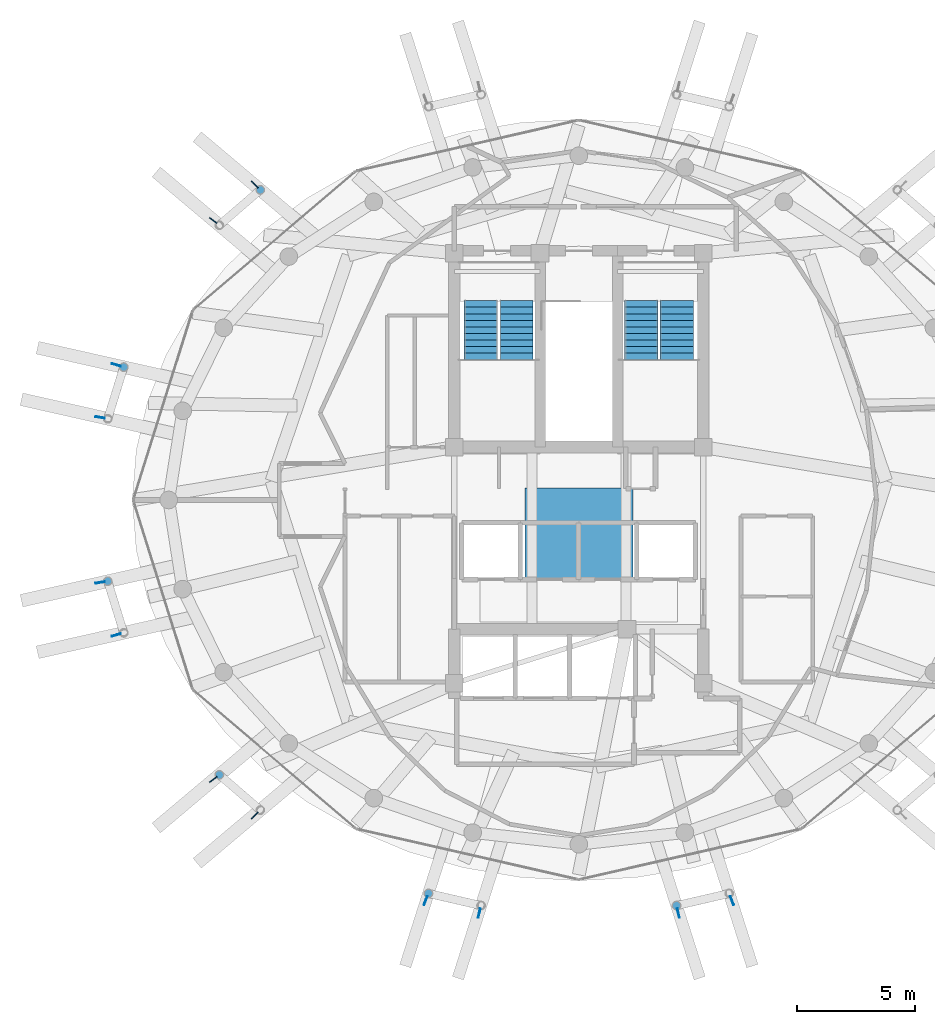
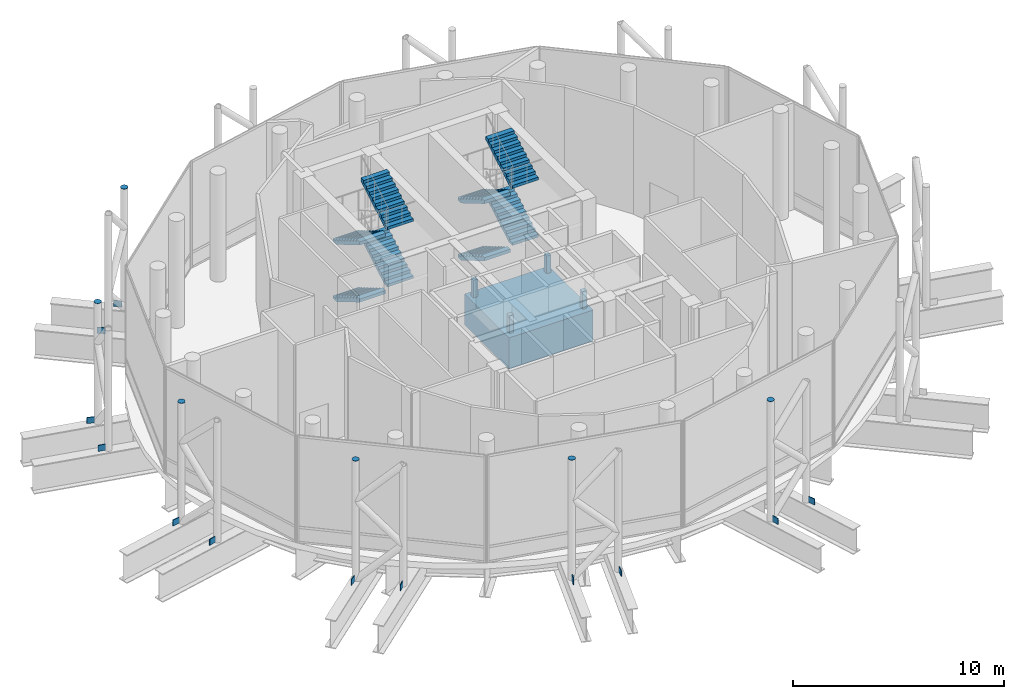
# One storey, part 23 of 26: 19 discrete accessories, 8 stair flights, 2 elements without a shape of their own.
"""IFC4 building model written with IfcOpenShell, lengths in metres."""

import ifcopenshell
import ifcopenshell.guid

model = None  # the IFC model being written
_history = None  # IfcOwnerHistory: only IFC2X3 demands one
_inside = {}  # id of a spatial element -> (the spatial element, [elements in it])
_under = {}  # id of a project, library or spatial element -> (it, [spatial elements below it])
_declared = {}  # id of a project -> (the project, [libraries it declares])
_typed = {}  # id of a type object -> (the type object, [elements of that type])
_made_of = {}  # id of a material, layer set ... -> (it, [elements and type objects made of it])


def new_model(schema):
    """Start an empty IFC model of exactly this schema.

    Asked for "IFC4X3", IfcOpenShell would pick the latest addendum, in which some entities
    have other attributes; the version numbers below select the first issue.
    IFC2X3 requires an IfcOwnerHistory on every rooted entity: one is made here for all.
    """
    global model, _history
    if schema == "IFC4X3":
        model = ifcopenshell.file(schema_version=(4, 3, 0, 0))
    else:
        model = ifcopenshell.file(schema=schema)
    _inside.clear()
    _under.clear()
    _declared.clear()
    _typed.clear()
    _made_of.clear()
    _history = None
    if model.schema == "IFC2X3":
        org = make("IfcOrganization", Name="unknown")
        user = make(
            "IfcPersonAndOrganization",
            ThePerson=make("IfcPerson", FamilyName="unknown"),
            TheOrganization=org,
        )
        app = make(
            "IfcApplication",
            ApplicationDeveloper=org,
            Version="unknown",
            ApplicationFullName="unknown",
            ApplicationIdentifier="unknown",
        )
        _history = make(
            "IfcOwnerHistory",
            OwningUser=user,
            OwningApplication=app,
            ChangeAction="ADDED",
            CreationDate=0,
        )
    return model


def make(cls, **values):
    """One entity of the class cls with the attributes given. An attribute that is None is left unset."""
    return model.create_entity(
        cls, **{name: value for name, value in values.items() if value is not None}
    )


def rooted(cls, **values):
    """An entity with a GlobalId (a new one), such as an element, a storey or a relation."""
    return make(cls, GlobalId=ifcopenshell.guid.new(), OwnerHistory=_history, **values)


def si_unit(unit_type, name, prefix=None):
    """IfcSIUnit, for example si_unit("LENGTHUNIT", "METRE", prefix="MILLI")."""
    return make("IfcSIUnit", UnitType=unit_type, Prefix=prefix, Name=name)


def assignment(units):
    """IfcUnitAssignment: the units of a project."""
    return None if units is None else make("IfcUnitAssignment", Units=units)


def point(xyz):
    """IfcCartesianPoint."""
    return None if xyz is None else make("IfcCartesianPoint", Coordinates=xyz)


def direction(xyz):
    """IfcDirection."""
    return None if xyz is None else make("IfcDirection", DirectionRatios=xyz)


def frame(location, z_axis=None, x_axis=None):
    """IfcAxis2Placement3D, a coordinate frame: its origin and axes. An axis left out is left unset."""
    return make(
        "IfcAxis2Placement3D",
        Location=point(location),
        Axis=direction(z_axis),
        RefDirection=direction(x_axis),
    )


def frame_2d(location, x_axis=None):
    """IfcAxis2Placement2D, a coordinate frame in the plane: its origin and x axis."""
    return make(
        "IfcAxis2Placement2D", Location=point(location), RefDirection=direction(x_axis)
    )


def origin():
    """The frame at (0, 0, 0) with its axes left unset."""
    return frame((0.0, 0.0, 0.0))


def origin_2d():
    """The frame at (0, 0) in the plane with its x axis left unset."""
    return frame_2d((0.0, 0.0))


def place(relative_to, where):
    """IfcLocalPlacement: puts the frame where relative to a parent placement (None: the world)."""
    return make(
        "IfcLocalPlacement", PlacementRelTo=relative_to, RelativePlacement=where
    )


def context(
    kind, dimensions, precision=None, world=None, true_north=None, identifier=None
):
    """IfcGeometricRepresentationContext, for example the 3D "Model" context."""
    return make(
        "IfcGeometricRepresentationContext",
        ContextIdentifier=identifier,
        ContextType=kind,
        CoordinateSpaceDimension=dimensions,
        Precision=precision,
        WorldCoordinateSystem=world,
        TrueNorth=true_north,
    )


def subcontext(parent, identifier, kind, view, scale=None):
    """IfcGeometricRepresentationSubContext, for example "Body" below "Model"."""
    return make(
        "IfcGeometricRepresentationSubContext",
        ContextIdentifier=identifier,
        ContextType=kind,
        ParentContext=parent,
        TargetScale=scale,
        TargetView=view,
    )


def project(units=None, contexts=None):
    """IfcProject with its units and contexts."""
    return rooted(
        "IfcProject",
        Name="project",
        RepresentationContexts=contexts,
        UnitsInContext=assignment(units),
    )


def spatial(cls, under=None, at=None, **own):
    """A site, building, storey or space (cls), placed at a placement, below another one or the project."""
    s = rooted(cls, ObjectPlacement=at, **own)
    if under is not None:
        _under.setdefault(under.id(), (under, []))[1].append(s)
    return s


def polyline(points):
    """IfcPolyline through the points."""
    return make("IfcPolyline", Points=[point(p) for p in points])


def profile(cls, at=None, kind="AREA", **sizes):
    """A parametric profile (cls). Its sizes go by their IFC names, for example OverallWidth=200.0."""
    return make(cls, ProfileType=kind, Position=at, **sizes)


def rectangle(**sizes):
    """IfcRectangleProfileDef."""
    return profile("IfcRectangleProfileDef", **sizes)


def circle(**sizes):
    """IfcCircleProfileDef."""
    return profile("IfcCircleProfileDef", **sizes)


def outline(outer, holes=None, kind="AREA"):
    """IfcArbitraryClosedProfileDef: a profile drawn as a closed curve; with holes, ...WithVoids."""
    if holes is None:
        return make("IfcArbitraryClosedProfileDef", ProfileType=kind, OuterCurve=outer)
    return make(
        "IfcArbitraryProfileDefWithVoids",
        ProfileType=kind,
        OuterCurve=outer,
        InnerCurves=holes,
    )


def extrude(swept, where, along, depth):
    """IfcExtrudedAreaSolid: the profile swept, set in the frame where, extruded along a direction by depth."""
    return make(
        "IfcExtrudedAreaSolid",
        SweptArea=swept,
        Position=where,
        ExtrudedDirection=direction(along),
        Depth=depth,
    )


def shape(context_of_items, identifier, shape_type, items):
    """IfcShapeRepresentation: the items that make up one representation, for example the "Body"."""
    return make(
        "IfcShapeRepresentation",
        ContextOfItems=context_of_items,
        RepresentationIdentifier=identifier,
        RepresentationType=shape_type,
        Items=items,
    )


def material(Name=None, Category=None):
    """IfcMaterial."""
    return make("IfcMaterial", Name=Name, Category=Category)


def made_of(thing, what):
    """Note that an element or type object is made of a material, layer set ...; save() writes the relation."""
    if what is not None:
        _made_of.setdefault(what.id(), (what, []))[1].append(thing)
    return thing


def type_object(cls, material=None, **own):
    """A type object (cls), such as IfcWallType, which elements share."""
    return made_of(rooted(cls, **own), material)


def element(
    cls,
    number,
    at=None,
    inside=None,
    cuts=None,
    type_object=None,
    material=None,
    context=None,
    identifier="Body",
    shape_type=None,
    held_by="IfcProductDefinitionShape",
    body=None,
    shapes=None,
    **own,
):
    """One element of the class cls, such as IfcWall. Its Tag is "e" and its number.

    at: its placement. inside: the storey or other place that contains it. cuts: it is an
    opening in that element (IfcRelVoidsElement). A single representation is given by context,
    identifier, shape_type and body (its items); several are given by shapes. held_by: the class
    of the entity that holds the representations. save() writes the other relations.
    """
    e = rooted(cls, Tag="e%d" % number, ObjectPlacement=at, **own)
    if body is not None:
        shapes = [shape(context, identifier, shape_type, body)]
    if shapes is not None:
        e.Representation = make(held_by, Representations=shapes)
    if inside is not None:
        _inside.setdefault(inside.id(), (inside, []))[1].append(e)
    if cuts is not None:
        rooted(
            "IfcRelVoidsElement", RelatingBuildingElement=cuts, RelatedOpeningElement=e
        )
    if type_object is not None:
        _typed.setdefault(type_object.id(), (type_object, []))[1].append(e)
    return made_of(e, material)


def aggregate(whole, parts):
    """IfcRelAggregates: a whole, such as a stair, and the parts it consists of."""
    return rooted("IfcRelAggregates", RelatingObject=whole, RelatedObjects=parts)


def save(model, path):
    """Write the relations noted so far, then the file.

    IfcRelAggregates (storeys below a building ...), IfcRelContainedInSpatialStructure (elements
    in a storey), IfcRelDefinesByType, IfcRelAssociatesMaterial and IfcRelDeclares: one each for
    every whole, place, type object, material and project.
    """
    for whole, parts in _under.values():
        aggregate(whole, parts)
    for where, things in _inside.values():
        rooted(
            "IfcRelContainedInSpatialStructure",
            RelatedElements=things,
            RelatingStructure=where,
        )
    for kind, things in _typed.values():
        rooted("IfcRelDefinesByType", RelatedObjects=things, RelatingType=kind)
    for what, things in _made_of.values():
        rooted("IfcRelAssociatesMaterial", RelatedObjects=things, RelatingMaterial=what)
    for by, libraries in _declared.values():
        rooted("IfcRelDeclares", RelatingContext=by, RelatedDefinitions=libraries)
    model.write(path)


model = new_model("IFC4")

# Units and contexts
model_context = context("Model", 3, precision=1e-05, world=origin(), true_north=direction((0.0, 1.0)))
body_context = subcontext(model_context, "Body", "Model", "MODEL_VIEW")
ifc_project = project(units=[si_unit("LENGTHUNIT", "METRE"), si_unit("AREAUNIT", "SQUARE_METRE"), si_unit("VOLUMEUNIT", "CUBIC_METRE"), si_unit("PLANEANGLEUNIT", "RADIAN"), si_unit("MASSUNIT", "GRAM", prefix="KILO")], contexts=[model_context])

# Site, building, storey
site_placement = place(None, origin())
site = spatial("IfcSite", under=ifc_project, at=site_placement, CompositionType="ELEMENT")
building_placement = place(site_placement, origin())
building = spatial("IfcBuilding", under=site, at=building_placement, Name="Nuhasar Tower", CompositionType="ELEMENT")
storey_placement = place(building_placement, frame((0.0, 0.0, 306.800048828125)))
storey = spatial("IfcBuildingStorey", under=building, at=storey_placement, Name="L76", CompositionType="ELEMENT", Elevation=306.800048828125)

# Stair, stair flights
ifc_material_1 = material(Name="Concrete C45/55", Category="concrete")
stair_type_1 = type_object("IfcStairType", Name="STR-ST-01-4F-40R-1650", PredefinedType="HALF_TURN_STAIR", material=ifc_material_1)
stair_1_placement = place(storey_placement, origin())
stair_1 = element("IfcStair", 1, at=stair_1_placement, inside=storey, type_object=stair_type_1, Name="L76 Exit Stair ST-01", PredefinedType="HALF_TURN_STAIR")
stair_flight_type_1 = type_object("IfcStairFlightType", Name="SFL-ST-01-10R-1650", PredefinedType="STRAIGHT", material=ifc_material_1)
stair_flight_1_placement = place(storey_placement, frame((34.830078125, 35.284912109375, 0.0), z_axis=(0.0, 0.0, 1.0), x_axis=(0.0, -1.0, 0.0)))
stair_flight_1 = element("IfcStairFlight", 2, at=stair_flight_1_placement, type_object=stair_flight_type_1, Name="ST-01 flight 1", NumberOfRisers=10, NumberOfTreads=9, PredefinedType="STRAIGHT", RiserHeight=0.165, TreadLength=0.28, context=body_context, shape_type="SweptSolid", body=[
    extrude(outline(polyline([(0.0, 0.0), (0.0, 0.1650390625), (0.280029296875, 0.1650390625), (0.280029296875, 0.330078125), (0.56005859375, 0.330078125), (0.56005859375, 0.4951171875), (0.840087890625, 0.4951171875), (0.840087890625, 0.659912109375), (1.1201171875, 0.659912109375), (1.1201171875, 0.824951171875), (1.39990234375, 0.824951171875), (1.39990234375, 0.989990234375), (1.679931640625, 0.989990234375), (1.679931640625, 1.155029296875), (1.9599609375, 1.155029296875), (1.9599609375, 1.320068359375), (2.239990234375, 1.320068359375), (2.239990234375, 1.485107421875), (2.52001953125, 1.485107421875), (2.52001953125, 1.64990234375), (2.52001953125, 1.29931640625), (0.31494140625, 0.0), (0.0, 0.0)])), frame((0.0, 0.7099609375, 0.0), z_axis=(0.0, -1.0, 0.0), x_axis=(1.0, 0.0, 0.0)), (0.0, 0.0, 1.0), 1.419921875),
])
stair_flight_2_placement = place(storey_placement, frame((36.35009765625, 32.764892578125, 1.64990234375), z_axis=(0.0, 0.0, 1.0), x_axis=(0.0, 1.0, 0.0)))
stair_flight_2 = element("IfcStairFlight", 3, at=stair_flight_2_placement, type_object=stair_flight_type_1, Name="ST-01 flight 2", NumberOfRisers=10, NumberOfTreads=9, PredefinedType="STRAIGHT", RiserHeight=0.165, TreadLength=0.28, context=body_context, shape_type="SweptSolid", body=[
    extrude(outline(polyline([(0.0, 0.0), (0.0, 0.1650390625), (0.280029296875, 0.1650390625), (0.280029296875, 0.330078125), (0.56005859375, 0.330078125), (0.56005859375, 0.4951171875), (0.840087890625, 0.4951171875), (0.840087890625, 0.659912109375), (1.1201171875, 0.659912109375), (1.1201171875, 0.824951171875), (1.39990234375, 0.824951171875), (1.39990234375, 0.989990234375), (1.679931640625, 0.989990234375), (1.679931640625, 1.155029296875), (1.9599609375, 1.155029296875), (1.9599609375, 1.320068359375), (2.239990234375, 1.320068359375), (2.239990234375, 1.485107421875), (2.52001953125, 1.485107421875), (2.52001953125, 1.64990234375), (2.52001953125, 1.29931640625), (0.31494140625, 0.0), (0.0, 0.0)])), frame((0.0, 0.7099609375, 0.0), z_axis=(0.0, -1.0, 0.0), x_axis=(1.0, 0.0, 0.0)), (0.0, 0.0, 1.0), 1.419921875),
])
stair_flight_3_placement = place(storey_placement, frame((34.830078125, 35.284912109375, 3.300048828125), z_axis=(0.0, 0.0, 1.0), x_axis=(0.0, -1.0, 0.0)))
stair_flight_3 = element("IfcStairFlight", 4, at=stair_flight_3_placement, type_object=stair_flight_type_1, Name="ST-01 flight 3", NumberOfRisers=10, NumberOfTreads=9, PredefinedType="STRAIGHT", RiserHeight=0.165, TreadLength=0.28, context=body_context, shape_type="SweptSolid", body=[
    extrude(outline(polyline([(0.0, 0.0), (0.0, 0.1650390625), (0.280029296875, 0.1650390625), (0.280029296875, 0.330078125), (0.56005859375, 0.330078125), (0.56005859375, 0.4951171875), (0.840087890625, 0.4951171875), (0.840087890625, 0.659912109375), (1.1201171875, 0.659912109375), (1.1201171875, 0.824951171875), (1.39990234375, 0.824951171875), (1.39990234375, 0.989990234375), (1.679931640625, 0.989990234375), (1.679931640625, 1.155029296875), (1.9599609375, 1.155029296875), (1.9599609375, 1.320068359375), (2.239990234375, 1.320068359375), (2.239990234375, 1.485107421875), (2.52001953125, 1.485107421875), (2.52001953125, 1.64990234375), (2.52001953125, 1.29931640625), (0.31494140625, 0.0), (0.0, 0.0)])), frame((0.0, 0.7099609375, 0.0), z_axis=(0.0, -1.0, 0.0), x_axis=(1.0, 0.0, 0.0)), (0.0, 0.0, 1.0), 1.419921875),
])
stair_flight_4_placement = place(storey_placement, frame((36.35009765625, 32.764892578125, 4.949951171875), z_axis=(0.0, 0.0, 1.0), x_axis=(0.0, 1.0, 0.0)))
stair_flight_4 = element("IfcStairFlight", 5, at=stair_flight_4_placement, type_object=stair_flight_type_1, Name="ST-01 flight 4", NumberOfRisers=10, NumberOfTreads=9, PredefinedType="STRAIGHT", RiserHeight=0.165, TreadLength=0.28, context=body_context, shape_type="SweptSolid", body=[
    extrude(outline(polyline([(0.0, 0.0), (0.0, 0.1650390625), (0.280029296875, 0.1650390625), (0.280029296875, 0.330078125), (0.56005859375, 0.330078125), (0.56005859375, 0.4951171875), (0.840087890625, 0.4951171875), (0.840087890625, 0.659912109375), (1.1201171875, 0.659912109375), (1.1201171875, 0.824951171875), (1.39990234375, 0.824951171875), (1.39990234375, 0.989990234375), (1.679931640625, 0.989990234375), (1.679931640625, 1.155029296875), (1.9599609375, 1.155029296875), (1.9599609375, 1.320068359375), (2.239990234375, 1.320068359375), (2.239990234375, 1.485107421875), (2.52001953125, 1.485107421875), (2.52001953125, 1.64990234375), (2.52001953125, 1.29931640625), (0.31494140625, 0.0), (0.0, 0.0)])), frame((0.0, 0.7099609375, 0.0), z_axis=(0.0, -1.0, 0.0), x_axis=(1.0, 0.0, 0.0)), (0.0, 0.0, 1.0), 1.419921875),
])
aggregate(stair_1, [stair_flight_1, stair_flight_2, stair_flight_3, stair_flight_4])

stair_type_2 = type_object("IfcStairType", Name="STR-ST-02-4F-40R-1650", PredefinedType="HALF_TURN_STAIR", material=ifc_material_1)
stair_2_placement = place(storey_placement, origin())
stair_2 = element("IfcStair", 6, at=stair_2_placement, inside=storey, type_object=stair_type_2, Name="L76 Exit Stair ST-02", PredefinedType="HALF_TURN_STAIR")
stair_flight_type_2 = type_object("IfcStairFlightType", Name="SFL-ST-02-10R-1650", PredefinedType="STRAIGHT", material=ifc_material_1)
stair_flight_5_placement = place(storey_placement, frame((41.64990234375, 35.284912109375, 0.0), z_axis=(0.0, 0.0, 1.0), x_axis=(0.0, -1.0, 0.0)))
stair_flight_5 = element("IfcStairFlight", 7, at=stair_flight_5_placement, type_object=stair_flight_type_2, Name="ST-02 flight 1", NumberOfRisers=10, NumberOfTreads=9, PredefinedType="STRAIGHT", RiserHeight=0.165, TreadLength=0.28, context=body_context, shape_type="SweptSolid", body=[
    extrude(outline(polyline([(0.0, 0.0), (0.0, 0.1650390625), (0.280029296875, 0.1650390625), (0.280029296875, 0.330078125), (0.56005859375, 0.330078125), (0.56005859375, 0.4951171875), (0.840087890625, 0.4951171875), (0.840087890625, 0.659912109375), (1.1201171875, 0.659912109375), (1.1201171875, 0.824951171875), (1.39990234375, 0.824951171875), (1.39990234375, 0.989990234375), (1.679931640625, 0.989990234375), (1.679931640625, 1.155029296875), (1.9599609375, 1.155029296875), (1.9599609375, 1.320068359375), (2.239990234375, 1.320068359375), (2.239990234375, 1.485107421875), (2.52001953125, 1.485107421875), (2.52001953125, 1.64990234375), (2.52001953125, 1.29931640625), (0.31494140625, 0.0), (0.0, 0.0)])), frame((0.0, 0.7099609375, 0.0), z_axis=(0.0, -1.0, 0.0), x_axis=(1.0, 0.0, 0.0)), (0.0, 0.0, 1.0), 1.419921875),
])
stair_flight_6_placement = place(storey_placement, frame((43.169921875, 32.764892578125, 1.64990234375), z_axis=(0.0, 0.0, 1.0), x_axis=(0.0, 1.0, 0.0)))
stair_flight_6 = element("IfcStairFlight", 8, at=stair_flight_6_placement, type_object=stair_flight_type_2, Name="ST-02 flight 2", NumberOfRisers=10, NumberOfTreads=9, PredefinedType="STRAIGHT", RiserHeight=0.165, TreadLength=0.28, context=body_context, shape_type="SweptSolid", body=[
    extrude(outline(polyline([(0.0, 0.0), (0.0, 0.1650390625), (0.280029296875, 0.1650390625), (0.280029296875, 0.330078125), (0.56005859375, 0.330078125), (0.56005859375, 0.4951171875), (0.840087890625, 0.4951171875), (0.840087890625, 0.659912109375), (1.1201171875, 0.659912109375), (1.1201171875, 0.824951171875), (1.39990234375, 0.824951171875), (1.39990234375, 0.989990234375), (1.679931640625, 0.989990234375), (1.679931640625, 1.155029296875), (1.9599609375, 1.155029296875), (1.9599609375, 1.320068359375), (2.239990234375, 1.320068359375), (2.239990234375, 1.485107421875), (2.52001953125, 1.485107421875), (2.52001953125, 1.64990234375), (2.52001953125, 1.29931640625), (0.31494140625, 0.0), (0.0, 0.0)])), frame((0.0, 0.7099609375, 0.0), z_axis=(0.0, -1.0, 0.0), x_axis=(1.0, 0.0, 0.0)), (0.0, 0.0, 1.0), 1.419921875),
])
stair_flight_7_placement = place(storey_placement, frame((41.64990234375, 35.284912109375, 3.300048828125), z_axis=(0.0, 0.0, 1.0), x_axis=(0.0, -1.0, 0.0)))
stair_flight_7 = element("IfcStairFlight", 9, at=stair_flight_7_placement, type_object=stair_flight_type_2, Name="ST-02 flight 3", NumberOfRisers=10, NumberOfTreads=9, PredefinedType="STRAIGHT", RiserHeight=0.165, TreadLength=0.28, context=body_context, shape_type="SweptSolid", body=[
    extrude(outline(polyline([(0.0, 0.0), (0.0, 0.1650390625), (0.280029296875, 0.1650390625), (0.280029296875, 0.330078125), (0.56005859375, 0.330078125), (0.56005859375, 0.4951171875), (0.840087890625, 0.4951171875), (0.840087890625, 0.659912109375), (1.1201171875, 0.659912109375), (1.1201171875, 0.824951171875), (1.39990234375, 0.824951171875), (1.39990234375, 0.989990234375), (1.679931640625, 0.989990234375), (1.679931640625, 1.155029296875), (1.9599609375, 1.155029296875), (1.9599609375, 1.320068359375), (2.239990234375, 1.320068359375), (2.239990234375, 1.485107421875), (2.52001953125, 1.485107421875), (2.52001953125, 1.64990234375), (2.52001953125, 1.29931640625), (0.31494140625, 0.0), (0.0, 0.0)])), frame((0.0, 0.7099609375, 0.0), z_axis=(0.0, -1.0, 0.0), x_axis=(1.0, 0.0, 0.0)), (0.0, 0.0, 1.0), 1.419921875),
])
stair_flight_8_placement = place(storey_placement, frame((43.169921875, 32.764892578125, 4.949951171875), z_axis=(0.0, 0.0, 1.0), x_axis=(0.0, 1.0, 0.0)))
stair_flight_8 = element("IfcStairFlight", 10, at=stair_flight_8_placement, type_object=stair_flight_type_2, Name="ST-02 flight 4", NumberOfRisers=10, NumberOfTreads=9, PredefinedType="STRAIGHT", RiserHeight=0.165, TreadLength=0.28, context=body_context, shape_type="SweptSolid", body=[
    extrude(outline(polyline([(0.0, 0.0), (0.0, 0.1650390625), (0.280029296875, 0.1650390625), (0.280029296875, 0.330078125), (0.56005859375, 0.330078125), (0.56005859375, 0.4951171875), (0.840087890625, 0.4951171875), (0.840087890625, 0.659912109375), (1.1201171875, 0.659912109375), (1.1201171875, 0.824951171875), (1.39990234375, 0.824951171875), (1.39990234375, 0.989990234375), (1.679931640625, 0.989990234375), (1.679931640625, 1.155029296875), (1.9599609375, 1.155029296875), (1.9599609375, 1.320068359375), (2.239990234375, 1.320068359375), (2.239990234375, 1.485107421875), (2.52001953125, 1.485107421875), (2.52001953125, 1.64990234375), (2.52001953125, 1.29931640625), (0.31494140625, 0.0), (0.0, 0.0)])), frame((0.0, 0.7099609375, 0.0), z_axis=(0.0, -1.0, 0.0), x_axis=(1.0, 0.0, 0.0)), (0.0, 0.0, 1.0), 1.419921875),
])
aggregate(stair_2, [stair_flight_5, stair_flight_6, stair_flight_7, stair_flight_8])

# Discrete accessories
ifc_material_2 = material(Name="Steel S460", Category="steel")
discrete_accessory_type_1 = type_object("IfcDiscreteAccessoryType", Name="ACC-CAP-HSS356", PredefinedType="USERDEFINED", material=ifc_material_2)
for number, where, z_axis, x_axis, name in (
    (11, (25.446044921875, 39.99609375, 6.599853515625), (0.0, 0.0, 1.0), (1.0, 0.0, 0.0), "L76 Exoskeleton Chord Column EC-05A End Cap"),
    (12, (19.635986328125, 32.452880859375, 6.599853515625), (0.0, 0.0, 1.0), (1.0, 0.0, 0.0), "L76 Exoskeleton Chord Column EC-06A End Cap"),
    (13, (18.9541015625, 23.343017578125, 6.599853515625), (0.0, 0.0, 1.0), (1.0, 0.0, 0.0), "L76 Exoskeleton Chord Column EC-07A End Cap"),
    (14, (23.7041015625, 15.10595703125, 6.599853515625), (0.0, 0.0, 1.0), (1.0, 0.0, 0.0), "L76 Exoskeleton Chord Column EC-08A End Cap"),
    (15, (32.60009765625, 10.05908203125, 6.599853515625), (0.0, 0.0, 1.0), (1.0, 0.0, 0.0), "L76 Exoskeleton Chord Column EC-09A End Cap"),
    (16, (43.158935546875, 9.541015625, 6.599853515625), (0.0, 0.0, 1.0), (1.0, 0.0, 0.0), "L76 Exoskeleton Chord Column EC-10A End Cap"),
):
    element("IfcDiscreteAccessory", number, at=place(storey_placement, frame(where, z_axis=z_axis, x_axis=x_axis)), inside=storey, type_object=discrete_accessory_type_1, Name=name, ObjectType="STEEL_END_CAP", PredefinedType="USERDEFINED", context=body_context, shape_type="SweptSolid", body=[
        extrude(circle(Radius=0.177734375, at=origin_2d()), origin(), (0.0, 0.0, 1.0), 0.02001953125),
    ])
discrete_accessory_type_2 = type_object("IfcDiscreteAccessoryType", Name="ACC-GUS-40", PredefinedType="USERDEFINED", material=ifc_material_2)
for number, where, z_axis, x_axis, name in (
    (17, (25.2109375, 40.22509765625, -0.35009765625), (0.0, 0.0, 1.0), (-0.716508950489, 0.697577898065, 0.0), "L76 Exoskeleton Chord Column EC-05A Gusset Plate"),
    (18, (23.444091796875, 38.693115234375, -0.35009765625), (0.0, 0.0, 1.0), (-0.794435821468, 0.607348109052, 0.0), "L76 Exoskeleton Chord Column EC-05B Gusset Plate"),
    (19, (19.321044921875, 32.544921875, -0.35009765625), (0.0, 0.0, 1.0), (-0.959932555661, 0.280231134213, 0.0), "L76 Exoskeleton Chord Column EC-06A Gusset Plate"),
    (20, (18.631103515625, 30.31298828125, -0.35009765625), (0.0, 0.0, 1.0), (-0.985452425456, 0.169951514151, 0.0), "L76 Exoskeleton Chord Column EC-06B Gusset Plate"),
    (21, (18.631103515625, 23.287109375, -0.35009765625), (0.0, 0.0, 1.0), (-0.985452425456, -0.169951514151, 0.0), "L76 Exoskeleton Chord Column EC-07A Gusset Plate"),
    (22, (19.321044921875, 21.054931640625, -0.35009765625), (0.0, 0.0, 1.0), (-0.959932555661, -0.280231134213, 0.0), "L76 Exoskeleton Chord Column EC-07B Gusset Plate"),
    (23, (23.444091796875, 14.906982421875, -0.35009765625), (0.0, 0.0, 1.0), (-0.794435821468, -0.607348109052, 0.0), "L76 Exoskeleton Chord Column EC-08A Gusset Plate"),
    (24, (25.2109375, 13.375, -0.35009765625), (0.0, 0.0, 1.0), (-0.716508950489, -0.697577898065, 0.0), "L76 Exoskeleton Chord Column EC-08B Gusset Plate"),
    (25, (32.48291015625, 9.7529296875, -0.35009765625), (0.0, 0.0, 1.0), (-0.35709668178, -0.934067427899, 0.0), "L76 Exoskeleton Chord Column EC-09A Gusset Plate"),
    (26, (34.763916015625, 9.221923828125, -0.35009765625), (0.0, 0.0, 1.0), (-0.234276860161, -0.972169919712, 0.0), "L76 Exoskeleton Chord Column EC-09B Gusset Plate"),
    (27, (43.236083984375, 9.221923828125, -0.35009765625), (0.0, 0.0, 1.0), (0.234276860161, -0.972169919712, 0.0), "L76 Exoskeleton Chord Column EC-10A Gusset Plate"),
    (28, (45.51708984375, 9.7529296875, -0.35009765625), (0.0, 0.0, 1.0), (0.35709668178, -0.934067427899, 0.0), "L76 Exoskeleton Chord Column EC-10B Gusset Plate"),
):
    element("IfcDiscreteAccessory", number, at=place(storey_placement, frame(where, z_axis=z_axis, x_axis=x_axis)), inside=storey, type_object=discrete_accessory_type_2, Name=name, ObjectType="STEEL_GUSSET_PLATE", PredefinedType="USERDEFINED", context=body_context, shape_type="SweptSolid", body=[
        extrude(rectangle(XDim=0.39990234375, YDim=0.0400390625, at=origin_2d()), origin(), (0.0, 0.0, 1.0), 0.35009765625),
    ])
discrete_accessory_type_3 = type_object("IfcDiscreteAccessoryType", Name="ACC-TMD-PENDULUM", PredefinedType="USERDEFINED", material=ifc_material_2)
discrete_accessory_placement = place(storey_placement, frame((39.0, 25.199951171875, 3.300048828125)))
element("IfcDiscreteAccessory", 29, at=discrete_accessory_placement, inside=storey, type_object=discrete_accessory_type_3, Name="Tuned Mass Damper TMD-01", ObjectType="TUNED_MASS_DAMPER", PredefinedType="USERDEFINED", context=body_context, shape_type="SweptSolid", body=[
    extrude(rectangle(XDim=4.60009765625, YDim=4.199951171875, at=origin_2d()), frame((0.0, 0.0, -0.89990234375), z_axis=(0.0, 0.0, 1.0), x_axis=(1.0, 0.0, 0.0)), (0.0, 0.0, 1.0), 1.800048828125),
    extrude(rectangle(XDim=0.239990234375, YDim=0.239990234375, at=origin_2d()), frame((-2.0, -1.699951171875, 0.911865234375), z_axis=(0.0, 0.0, 1.0), x_axis=(1.0, 0.0, 0.0)), (0.0, 0.0, 1.0), 1.02001953125),
    extrude(rectangle(XDim=0.239990234375, YDim=0.239990234375, at=origin_2d()), frame((2.0, -1.699951171875, 0.911865234375), z_axis=(0.0, 0.0, 1.0), x_axis=(1.0, 0.0, 0.0)), (0.0, 0.0, 1.0), 1.02001953125),
    extrude(rectangle(XDim=0.239990234375, YDim=0.239990234375, at=origin_2d()), frame((-2.0, 1.699951171875, 0.911865234375), z_axis=(0.0, 0.0, 1.0), x_axis=(1.0, 0.0, 0.0)), (0.0, 0.0, 1.0), 1.02001953125),
    extrude(rectangle(XDim=0.239990234375, YDim=0.239990234375, at=origin_2d()), frame((2.0, 1.699951171875, 0.911865234375), z_axis=(0.0, 0.0, 1.0), x_axis=(1.0, 0.0, 0.0)), (0.0, 0.0, 1.0), 1.02001953125),
])

save(model, "model.ifc")
